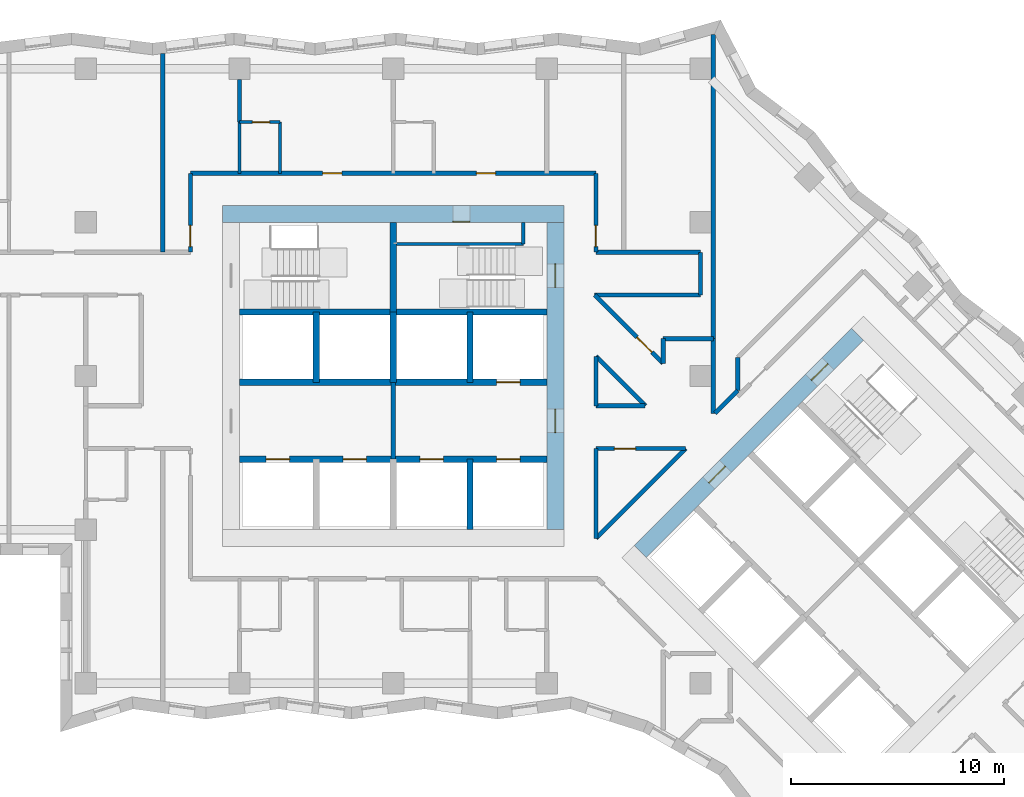
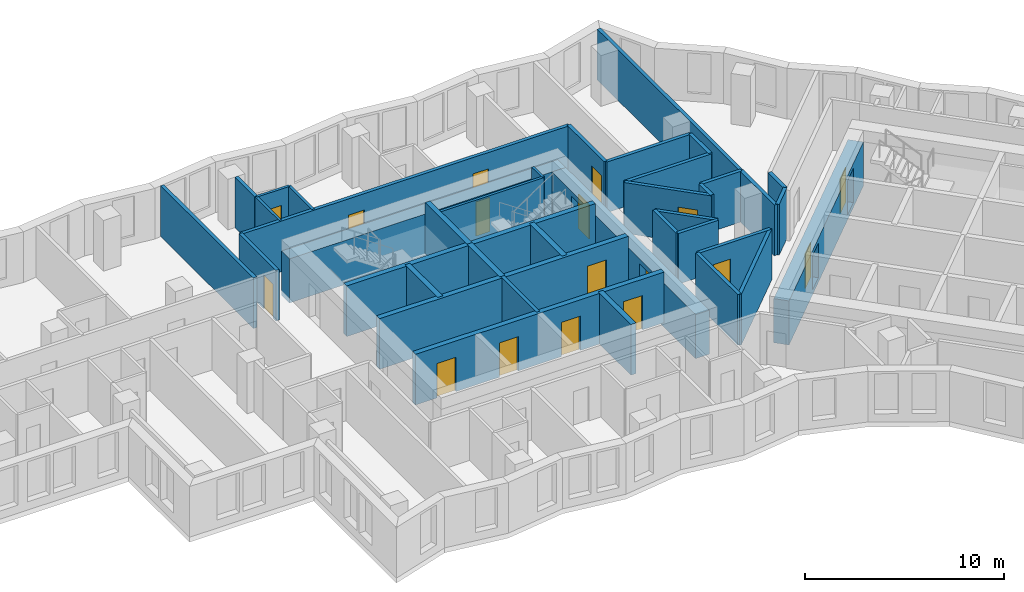
# One storey, part 6 of 13: 39 walls, 17 doors, 17 openings.
"""IFC4 building model written with IfcOpenShell, lengths in metres."""

import ifcopenshell
import ifcopenshell.guid

model = None  # the IFC model being written
_history = None  # IfcOwnerHistory: only IFC2X3 demands one
_inside = {}  # id of a spatial element -> (the spatial element, [elements in it])
_under = {}  # id of a project, library or spatial element -> (it, [spatial elements below it])
_declared = {}  # id of a project -> (the project, [libraries it declares])
_typed = {}  # id of a type object -> (the type object, [elements of that type])
_made_of = {}  # id of a material, layer set ... -> (it, [elements and type objects made of it])


def new_model(schema):
    """Start an empty IFC model of exactly this schema.

    Asked for "IFC4X3", IfcOpenShell would pick the latest addendum, in which some entities
    have other attributes; the version numbers below select the first issue.
    IFC2X3 requires an IfcOwnerHistory on every rooted entity: one is made here for all.
    """
    global model, _history
    if schema == "IFC4X3":
        model = ifcopenshell.file(schema_version=(4, 3, 0, 0))
    else:
        model = ifcopenshell.file(schema=schema)
    _inside.clear()
    _under.clear()
    _declared.clear()
    _typed.clear()
    _made_of.clear()
    _history = None
    if model.schema == "IFC2X3":
        org = make("IfcOrganization", Name="unknown")
        user = make(
            "IfcPersonAndOrganization",
            ThePerson=make("IfcPerson", FamilyName="unknown"),
            TheOrganization=org,
        )
        app = make(
            "IfcApplication",
            ApplicationDeveloper=org,
            Version="unknown",
            ApplicationFullName="unknown",
            ApplicationIdentifier="unknown",
        )
        _history = make(
            "IfcOwnerHistory",
            OwningUser=user,
            OwningApplication=app,
            ChangeAction="ADDED",
            CreationDate=0,
        )
    return model


def make(cls, **values):
    """One entity of the class cls with the attributes given. An attribute that is None is left unset."""
    return model.create_entity(
        cls, **{name: value for name, value in values.items() if value is not None}
    )


def rooted(cls, **values):
    """An entity with a GlobalId (a new one), such as an element, a storey or a relation."""
    return make(cls, GlobalId=ifcopenshell.guid.new(), OwnerHistory=_history, **values)


def si_unit(unit_type, name, prefix=None):
    """IfcSIUnit, for example si_unit("LENGTHUNIT", "METRE", prefix="MILLI")."""
    return make("IfcSIUnit", UnitType=unit_type, Prefix=prefix, Name=name)


def assignment(units):
    """IfcUnitAssignment: the units of a project."""
    return None if units is None else make("IfcUnitAssignment", Units=units)


def point(xyz):
    """IfcCartesianPoint."""
    return None if xyz is None else make("IfcCartesianPoint", Coordinates=xyz)


def direction(xyz):
    """IfcDirection."""
    return None if xyz is None else make("IfcDirection", DirectionRatios=xyz)


def frame(location, z_axis=None, x_axis=None):
    """IfcAxis2Placement3D, a coordinate frame: its origin and axes. An axis left out is left unset."""
    return make(
        "IfcAxis2Placement3D",
        Location=point(location),
        Axis=direction(z_axis),
        RefDirection=direction(x_axis),
    )


def frame_2d(location, x_axis=None):
    """IfcAxis2Placement2D, a coordinate frame in the plane: its origin and x axis."""
    return make(
        "IfcAxis2Placement2D", Location=point(location), RefDirection=direction(x_axis)
    )


def origin():
    """The frame at (0, 0, 0) with its axes left unset."""
    return frame((0.0, 0.0, 0.0))


def place(relative_to, where):
    """IfcLocalPlacement: puts the frame where relative to a parent placement (None: the world)."""
    return make(
        "IfcLocalPlacement", PlacementRelTo=relative_to, RelativePlacement=where
    )


def context(
    kind, dimensions, precision=None, world=None, true_north=None, identifier=None
):
    """IfcGeometricRepresentationContext, for example the 3D "Model" context."""
    return make(
        "IfcGeometricRepresentationContext",
        ContextIdentifier=identifier,
        ContextType=kind,
        CoordinateSpaceDimension=dimensions,
        Precision=precision,
        WorldCoordinateSystem=world,
        TrueNorth=true_north,
    )


def subcontext(parent, identifier, kind, view, scale=None):
    """IfcGeometricRepresentationSubContext, for example "Body" below "Model"."""
    return make(
        "IfcGeometricRepresentationSubContext",
        ContextIdentifier=identifier,
        ContextType=kind,
        ParentContext=parent,
        TargetScale=scale,
        TargetView=view,
    )


def project(units=None, contexts=None):
    """IfcProject with its units and contexts."""
    return rooted(
        "IfcProject",
        Name="project",
        RepresentationContexts=contexts,
        UnitsInContext=assignment(units),
    )


def spatial(cls, under=None, at=None, **own):
    """A site, building, storey or space (cls), placed at a placement, below another one or the project."""
    s = rooted(cls, ObjectPlacement=at, **own)
    if under is not None:
        _under.setdefault(under.id(), (under, []))[1].append(s)
    return s


def profile(cls, at=None, kind="AREA", **sizes):
    """A parametric profile (cls). Its sizes go by their IFC names, for example OverallWidth=200.0."""
    return make(cls, ProfileType=kind, Position=at, **sizes)


def rectangle(**sizes):
    """IfcRectangleProfileDef."""
    return profile("IfcRectangleProfileDef", **sizes)


def extrude(swept, where, along, depth):
    """IfcExtrudedAreaSolid: the profile swept, set in the frame where, extruded along a direction by depth."""
    return make(
        "IfcExtrudedAreaSolid",
        SweptArea=swept,
        Position=where,
        ExtrudedDirection=direction(along),
        Depth=depth,
    )


def shape(context_of_items, identifier, shape_type, items):
    """IfcShapeRepresentation: the items that make up one representation, for example the "Body"."""
    return make(
        "IfcShapeRepresentation",
        ContextOfItems=context_of_items,
        RepresentationIdentifier=identifier,
        RepresentationType=shape_type,
        Items=items,
    )


def material(Name=None, Category=None):
    """IfcMaterial."""
    return make("IfcMaterial", Name=Name, Category=Category)


def layer(
    of_material, thickness, ventilated=None, Name=None, Category=None, Priority=None
):
    """IfcMaterialLayer: one layer of a wall or slab, of a material (None: an air gap)."""
    return make(
        "IfcMaterialLayer",
        Material=of_material,
        LayerThickness=thickness,
        IsVentilated=ventilated,
        Name=Name,
        Category=Category,
        Priority=Priority,
    )


def layer_set(layers, Name=None):
    """IfcMaterialLayerSet."""
    return make("IfcMaterialLayerSet", MaterialLayers=layers, LayerSetName=Name)


def made_of(thing, what):
    """Note that an element or type object is made of a material, layer set ...; save() writes the relation."""
    if what is not None:
        _made_of.setdefault(what.id(), (what, []))[1].append(thing)
    return thing


def type_object(cls, material=None, **own):
    """A type object (cls), such as IfcWallType, which elements share."""
    return made_of(rooted(cls, **own), material)


def element(
    cls,
    number,
    at=None,
    inside=None,
    cuts=None,
    type_object=None,
    material=None,
    context=None,
    identifier="Body",
    shape_type=None,
    held_by="IfcProductDefinitionShape",
    body=None,
    shapes=None,
    **own,
):
    """One element of the class cls, such as IfcWall. Its Tag is "e" and its number.

    at: its placement. inside: the storey or other place that contains it. cuts: it is an
    opening in that element (IfcRelVoidsElement). A single representation is given by context,
    identifier, shape_type and body (its items); several are given by shapes. held_by: the class
    of the entity that holds the representations. save() writes the other relations.
    """
    e = rooted(cls, Tag="e%d" % number, ObjectPlacement=at, **own)
    if body is not None:
        shapes = [shape(context, identifier, shape_type, body)]
    if shapes is not None:
        e.Representation = make(held_by, Representations=shapes)
    if inside is not None:
        _inside.setdefault(inside.id(), (inside, []))[1].append(e)
    if cuts is not None:
        rooted(
            "IfcRelVoidsElement", RelatingBuildingElement=cuts, RelatedOpeningElement=e
        )
    if type_object is not None:
        _typed.setdefault(type_object.id(), (type_object, []))[1].append(e)
    return made_of(e, material)


def fill(opening, filler):
    """IfcRelFillsElement: the door or window that sits in an opening."""
    return rooted(
        "IfcRelFillsElement",
        RelatingOpeningElement=opening,
        RelatedBuildingElement=filler,
    )


def aggregate(whole, parts):
    """IfcRelAggregates: a whole, such as a stair, and the parts it consists of."""
    return rooted("IfcRelAggregates", RelatingObject=whole, RelatedObjects=parts)


def save(model, path):
    """Write the relations noted so far, then the file.

    IfcRelAggregates (storeys below a building ...), IfcRelContainedInSpatialStructure (elements
    in a storey), IfcRelDefinesByType, IfcRelAssociatesMaterial and IfcRelDeclares: one each for
    every whole, place, type object, material and project.
    """
    for whole, parts in _under.values():
        aggregate(whole, parts)
    for where, things in _inside.values():
        rooted(
            "IfcRelContainedInSpatialStructure",
            RelatedElements=things,
            RelatingStructure=where,
        )
    for kind, things in _typed.values():
        rooted("IfcRelDefinesByType", RelatedObjects=things, RelatingType=kind)
    for what, things in _made_of.values():
        rooted("IfcRelAssociatesMaterial", RelatedObjects=things, RelatingMaterial=what)
    for by, libraries in _declared.values():
        rooted("IfcRelDeclares", RelatingContext=by, RelatedDefinitions=libraries)
    model.write(path)


model = new_model("IFC4")

# Units and contexts
model_context = context("Model", 3, precision=1e-05, world=origin(), true_north=direction((0.0, 1.0)))
body_context = subcontext(model_context, "Body", "Model", "MODEL_VIEW")
ifc_project = project(units=[si_unit("LENGTHUNIT", "METRE"), si_unit("AREAUNIT", "SQUARE_METRE"), si_unit("VOLUMEUNIT", "CUBIC_METRE"), si_unit("PLANEANGLEUNIT", "RADIAN"), si_unit("MASSUNIT", "GRAM", prefix="KILO")], contexts=[model_context])

# Site, building, storey
site_placement = place(None, origin())
site = spatial("IfcSite", under=ifc_project, at=site_placement, CompositionType="ELEMENT")
building_placement = place(site_placement, origin())
building = spatial("IfcBuilding", under=site, at=building_placement, Name="Windrow Commons", CompositionType="ELEMENT")
storey_placement = place(building_placement, frame((0.0, 0.0, 101.6)))
storey = spatial("IfcBuildingStorey", under=building, at=storey_placement, Name="L27", CompositionType="ELEMENT", Elevation=101.6)

# Wall
ifc_material_1 = material(Name="Blockwork partition", Category="masonry")
ifc_layer_1 = layer(ifc_material_1, 0.2)
ifc_layer_set_1 = layer_set([ifc_layer_1], Name="Fire lobby partition 200")
wall_type_1 = type_object("IfcWallType", Name="Fire lobby partition 200", PredefinedType="PARTITIONING", material=ifc_layer_set_1)
wall_1_placement = place(storey_placement, frame((64.8, 53.7, 0.0), z_axis=(0.0, 0.0, 1.0), x_axis=(0.0, 1.0, 0.0)))
element("IfcWall", 1, at=wall_1_placement, inside=storey, type_object=wall_type_1, Name="W-core-lobby-A-L27", PredefinedType="PARTITIONING", context=body_context, shape_type="SweptSolid", body=[
    extrude(rectangle(XDim=3.6, YDim=0.2, at=frame_2d((1.8, 0.0))), origin(), (0.0, 0.0, 1.0), 3.1),
])

# Wall, openings, doors
ifc_material_2 = material(Name="Blockwork partition", Category="masonry")
ifc_layer_2 = layer(ifc_material_2, 0.2)
ifc_layer_set_2 = layer_set([ifc_layer_2], Name="IW-CORRIDOR-200")
wall_type_2 = type_object("IfcWallType", Name="IW-CORRIDOR-200", PredefinedType="PARTITIONING", material=ifc_layer_set_2)
wall_2_placement = place(storey_placement, frame((55.3, 67.1, 0.0), z_axis=(0.0, 0.0, 1.0), x_axis=(1.0, 0.0, 0.0)))
wall_2 = element("IfcWall", 2, at=wall_2_placement, inside=storey, type_object=wall_type_2, Name="W-L27-W004", PredefinedType="PARTITIONING", context=body_context, shape_type="SweptSolid", body=[
    extrude(rectangle(XDim=19.0, YDim=0.2, at=frame_2d((9.5, 0.0))), origin(), (0.0, 0.0, 1.0), 3.1),
])
opening_1_placement = place(wall_2_placement, frame((6.1994, 0.0, 0.0)))
opening_1 = element("IfcOpeningElement", 3, at=opening_1_placement, cuts=wall_2, Name="Opening D109F", PredefinedType="OPENING", context=body_context, shape_type="SweptSolid", body=[
    extrude(rectangle(XDim=0.9, YDim=2.1, at=frame_2d((0.45, 1.05))), frame((0.0, 0.11, 0.0), z_axis=(0.0, -1.0, 0.0), x_axis=(1.0, 0.0, 0.0)), (0.0, 0.0, 1.0), 0.22),
])
opening_2_placement = place(wall_2_placement, frame((13.3994, 0.0, 0.0)))
opening_2 = element("IfcOpeningElement", 4, at=opening_2_placement, cuts=wall_2, Name="Opening D109F", PredefinedType="OPENING", context=body_context, shape_type="SweptSolid", body=[
    extrude(rectangle(XDim=0.9, YDim=2.1, at=frame_2d((0.45, 1.05))), frame((0.0, 0.11, 0.0), z_axis=(0.0, -1.0, 0.0), x_axis=(1.0, 0.0, 0.0)), (0.0, 0.0, 1.0), 0.22),
])
ifc_material_3 = material(Name="Timber door leaf", Category="wood")
door_type_1 = type_object("IfcDoorType", Name="DT-BEDROOM-900", OperationType="SINGLE_SWING_LEFT", PredefinedType="DOOR", material=ifc_material_3)
door_1_placement = place(opening_1_placement, origin())
door_1 = element("IfcDoor", 5, at=door_1_placement, inside=storey, type_object=door_type_1, Name="D-L27-D024", OperationType="SINGLE_SWING_RIGHT", OverallHeight=2.1, OverallWidth=0.9, PredefinedType="DOOR", context=body_context, shape_type="SweptSolid", body=[
    extrude(rectangle(XDim=0.9, YDim=2.1, at=frame_2d((0.45, 1.05))), frame((0.0, 0.025, 0.0), z_axis=(0.0, -1.0, 0.0), x_axis=(1.0, 0.0, 0.0)), (0.0, 0.0, 1.0), 0.05),
])
fill(opening_1, door_1)
door_2_placement = place(opening_2_placement, origin())
door_2 = element("IfcDoor", 6, at=door_2_placement, inside=storey, type_object=door_type_1, Name="D-L27-D026", OperationType="SINGLE_SWING_RIGHT", OverallHeight=2.1, OverallWidth=0.9, PredefinedType="DOOR", context=body_context, shape_type="SweptSolid", body=[
    extrude(rectangle(XDim=0.9, YDim=2.1, at=frame_2d((0.45, 1.05))), frame((0.0, 0.025, 0.0), z_axis=(0.0, -1.0, 0.0), x_axis=(1.0, 0.0, 0.0)), (0.0, 0.0, 1.0), 0.05),
])
fill(opening_2, door_2)

# Walls
wall_3_placement = place(storey_placement, frame((74.3012, 49.9908, 0.0), z_axis=(0.0, 0.0, 1.0), x_axis=(0.7071067812, 0.7071067812, 0.0)))
element("IfcWall", 7, at=wall_3_placement, inside=storey, type_object=wall_type_2, Name="W-L27-W028", PredefinedType="PARTITIONING", context=body_context, shape_type="SweptSolid", body=[
    extrude(rectangle(XDim=5.951, YDim=0.2, at=frame_2d((2.9755, 0.0))), origin(), (0.0, 0.0, 1.0), 3.1),
])
wall_4_placement = place(storey_placement, frame((74.246, 61.4, 0.0), z_axis=(0.0, 0.0, 1.0), x_axis=(1.0, 0.0, 0.0)))
element("IfcWall", 8, at=wall_4_placement, inside=storey, type_object=wall_type_2, Name="W-L27-W038", PredefinedType="PARTITIONING", context=body_context, shape_type="SweptSolid", body=[
    extrude(rectangle(XDim=4.954, YDim=0.2, at=frame_2d((2.477, 0.0))), origin(), (0.0, 0.0, 1.0), 3.1),
])
wall_5_placement = place(storey_placement, frame((74.302, 63.4, 0.0), z_axis=(0.0, 0.0, 1.0), x_axis=(1.0, 0.0, 0.0)))
element("IfcWall", 9, at=wall_5_placement, inside=storey, type_object=wall_type_2, Name="W-L27-W040", PredefinedType="PARTITIONING", context=body_context, shape_type="SweptSolid", body=[
    extrude(rectangle(XDim=4.896, YDim=0.2, at=frame_2d((2.448, 0.0))), origin(), (0.0, 0.0, 1.0), 3.1),
])

# Wall, opening, door
wall_6_placement = place(storey_placement, frame((74.2426, 61.3946, 0.0), z_axis=(0.0, 0.0, 1.0), x_axis=(0.7071067812, -0.7071067812, 0.0)))
wall_6 = element("IfcWall", 10, at=wall_6_placement, inside=storey, type_object=wall_type_2, Name="W-L27-W044", PredefinedType="PARTITIONING", context=body_context, shape_type="SweptSolid", body=[
    extrude(rectangle(XDim=4.5283, YDim=0.2, at=frame_2d((2.2641, 0.0))), origin(), (0.0, 0.0, 1.0), 3.1),
])
opening_3_placement = place(wall_6_placement, frame((2.7971, 0.0, 0.0)))
opening_3 = element("IfcOpeningElement", 11, at=opening_3_placement, cuts=wall_6, Name="Opening D310F", PredefinedType="OPENING", context=body_context, shape_type="SweptSolid", body=[
    extrude(rectangle(XDim=1.0, YDim=2.1, at=frame_2d((0.5, 1.05))), frame((0.0, 0.11, 0.0), z_axis=(0.0, -1.0, 0.0), x_axis=(1.0, 0.0, 0.0)), (0.0, 0.0, 1.0), 0.22),
])
ifc_material_4 = material(Name="Timber door leaf", Category="wood")
door_type_2 = type_object("IfcDoorType", Name="DT-AMENITY-1000", OperationType="SINGLE_SWING_LEFT", PredefinedType="DOOR", material=ifc_material_4)
door_3_placement = place(opening_3_placement, origin())
door_3 = element("IfcDoor", 12, at=door_3_placement, inside=storey, type_object=door_type_2, Name="D-L27-D035", OperationType="SINGLE_SWING_LEFT", OverallHeight=2.1, OverallWidth=1.0, PredefinedType="DOOR", context=body_context, shape_type="SweptSolid", body=[
    extrude(rectangle(XDim=1.0, YDim=2.1, at=frame_2d((0.5, 1.05))), frame((0.0, 0.025, 0.0), z_axis=(0.0, -1.0, 0.0), x_axis=(1.0, 0.0, 0.0)), (0.0, 0.0, 1.0), 0.05),
])
fill(opening_3, door_3)

# Wall
wall_7_placement = place(storey_placement, frame((74.3, 49.99, 0.0), z_axis=(0.0, 0.0, 1.0), x_axis=(0.0, 1.0, 0.0)))
element("IfcWall", 13, at=wall_7_placement, inside=storey, type_object=wall_type_2, Name="W-L27-W048", PredefinedType="PARTITIONING", context=body_context, shape_type="SweptSolid", body=[
    extrude(rectangle(XDim=4.21, YDim=0.2, at=frame_2d((2.105, 0.0))), origin(), (0.0, 0.0, 1.0), 3.1),
])

# Wall, opening, door
wall_8_placement = place(storey_placement, frame((74.302, 54.2, 0.0), z_axis=(0.0, 0.0, 1.0), x_axis=(1.0, 0.0, 0.0)))
wall_8 = element("IfcWall", 14, at=wall_8_placement, inside=storey, type_object=wall_type_2, Name="W-L27-W049", PredefinedType="PARTITIONING", context=body_context, shape_type="SweptSolid", body=[
    extrude(rectangle(XDim=4.208, YDim=0.2, at=frame_2d((2.104, 0.0))), origin(), (0.0, 0.0, 1.0), 3.1),
])
opening_4_placement = place(wall_8_placement, frame((0.8604, 0.0, 0.0)))
opening_4 = element("IfcOpeningElement", 15, at=opening_4_placement, cuts=wall_8, Name="Opening D410F", PredefinedType="OPENING", context=body_context, shape_type="SweptSolid", body=[
    extrude(rectangle(XDim=1.0, YDim=2.1, at=frame_2d((0.5, 1.05))), frame((0.0, 0.11, 0.0), z_axis=(0.0, -1.0, 0.0), x_axis=(1.0, 0.0, 0.0)), (0.0, 0.0, 1.0), 0.22),
])
ifc_material_5 = material(Name="Timber door leaf", Category="wood")
door_type_3 = type_object("IfcDoorType", Name="DT-SERVICE-1000", OperationType="SINGLE_SWING_LEFT", PredefinedType="DOOR", material=ifc_material_5)
door_4_placement = place(opening_4_placement, origin())
door_4 = element("IfcDoor", 16, at=door_4_placement, inside=storey, type_object=door_type_3, Name="D-L27-D000", OperationType="SINGLE_SWING_RIGHT", OverallHeight=2.1, OverallWidth=1.0, PredefinedType="DOOR", context=body_context, shape_type="SweptSolid", body=[
    extrude(rectangle(XDim=1.0, YDim=2.1, at=frame_2d((0.5, 1.05))), frame((0.0, 0.025, 0.0), z_axis=(0.0, -1.0, 0.0), x_axis=(1.0, 0.0, 0.0)), (0.0, 0.0, 1.0), 0.05),
])
fill(opening_4, door_4)

wall_9_placement = place(storey_placement, frame((55.3, 63.402, 0.0), z_axis=(0.0, 0.0, 1.0), x_axis=(0.0, 1.0, 0.0)))
wall_9 = element("IfcWall", 17, at=wall_9_placement, inside=storey, type_object=wall_type_2, Name="W-L27-W050", PredefinedType="PARTITIONING", context=body_context, shape_type="SweptSolid", body=[
    extrude(rectangle(XDim=3.698, YDim=0.2, at=frame_2d((1.849, 0.0))), origin(), (0.0, 0.0, 1.0), 3.1),
])
opening_5_placement = place(wall_9_placement, frame((0.258, 0.0, 0.0)))
opening_5 = element("IfcOpeningElement", 18, at=opening_5_placement, cuts=wall_9, Name="Opening D310F", PredefinedType="OPENING", context=body_context, shape_type="SweptSolid", body=[
    extrude(rectangle(XDim=1.0, YDim=2.1, at=frame_2d((0.5, 1.05))), frame((0.0, 0.11, 0.0), z_axis=(0.0, -1.0, 0.0), x_axis=(1.0, 0.0, 0.0)), (0.0, 0.0, 1.0), 0.22),
])
door_5_placement = place(opening_5_placement, origin())
door_5 = element("IfcDoor", 19, at=door_5_placement, inside=storey, type_object=door_type_2, Name="D-L27-D014", OperationType="SINGLE_SWING_LEFT", OverallHeight=2.1, OverallWidth=1.0, PredefinedType="DOOR", context=body_context, shape_type="SweptSolid", body=[
    extrude(rectangle(XDim=1.0, YDim=2.1, at=frame_2d((0.5, 1.05))), frame((0.0, 0.025, 0.0), z_axis=(0.0, -1.0, 0.0), x_axis=(1.0, 0.0, 0.0)), (0.0, 0.0, 1.0), 0.05),
])
fill(opening_5, door_5)

wall_10_placement = place(storey_placement, frame((74.3, 63.402, 0.0), z_axis=(0.0, 0.0, 1.0), x_axis=(0.0, 1.0, 0.0)))
wall_10 = element("IfcWall", 20, at=wall_10_placement, inside=storey, type_object=wall_type_2, Name="W-L27-W051", PredefinedType="PARTITIONING", context=body_context, shape_type="SweptSolid", body=[
    extrude(rectangle(XDim=3.698, YDim=0.2, at=frame_2d((1.849, 0.0))), origin(), (0.0, 0.0, 1.0), 3.1),
])
opening_6_placement = place(wall_10_placement, frame((0.258, 0.0, 0.0)))
opening_6 = element("IfcOpeningElement", 21, at=opening_6_placement, cuts=wall_10, Name="Opening D310F", PredefinedType="OPENING", context=body_context, shape_type="SweptSolid", body=[
    extrude(rectangle(XDim=1.0, YDim=2.1, at=frame_2d((0.5, 1.05))), frame((0.0, 0.11, 0.0), z_axis=(0.0, -1.0, 0.0), x_axis=(1.0, 0.0, 0.0)), (0.0, 0.0, 1.0), 0.22),
])
door_6_placement = place(opening_6_placement, origin())
door_6 = element("IfcDoor", 22, at=door_6_placement, inside=storey, type_object=door_type_2, Name="D-L27-D015", OperationType="SINGLE_SWING_RIGHT", OverallHeight=2.1, OverallWidth=1.0, PredefinedType="DOOR", context=body_context, shape_type="SweptSolid", body=[
    extrude(rectangle(XDim=1.0, YDim=2.1, at=frame_2d((0.5, 1.05))), frame((0.0, 0.025, 0.0), z_axis=(0.0, -1.0, 0.0), x_axis=(1.0, 0.0, 0.0)), (0.0, 0.0, 1.0), 0.05),
])
fill(opening_6, door_6)

# Walls
wall_11_placement = place(storey_placement, frame((79.8, 55.85, 0.0), z_axis=(0.0, 0.0, 1.0), x_axis=(0.0, 1.0, 0.0)))
element("IfcWall", 23, at=wall_11_placement, inside=storey, type_object=wall_type_2, Name="W-L27-W053", PredefinedType="PARTITIONING", context=body_context, shape_type="SweptSolid", body=[
    extrude(rectangle(XDim=3.5, YDim=0.2, at=frame_2d((1.75, 0.0))), origin(), (0.0, 0.0, 1.0), 3.1),
])
wall_12_placement = place(storey_placement, frame((74.3055, 58.5175, 0.0), z_axis=(0.0, 0.0, 1.0), x_axis=(0.7071067812, -0.7071067812, 0.0)))
element("IfcWall", 24, at=wall_12_placement, inside=storey, type_object=wall_type_2, Name="W-L27-W056", PredefinedType="PARTITIONING", context=body_context, shape_type="SweptSolid", body=[
    extrude(rectangle(XDim=3.2697, YDim=0.2, at=frame_2d((1.6348, 0.0))), origin(), (0.0, 0.0, 1.0), 3.1),
])
wall_13_placement = place(storey_placement, frame((77.452, 59.35, 0.0), z_axis=(0.0, 0.0, 1.0), x_axis=(1.0, 0.0, 0.0)))
element("IfcWall", 25, at=wall_13_placement, inside=storey, type_object=wall_type_2, Name="W-L27-W096", PredefinedType="PARTITIONING", context=body_context, shape_type="SweptSolid", body=[
    extrude(rectangle(XDim=2.348, YDim=0.2, at=frame_2d((1.174, 0.0))), origin(), (0.0, 0.0, 1.0), 3.1),
])
for number, where, z_axis, x_axis, name in (
    (26, (74.3, 56.202, 0.0), (0.0, 0.0, 1.0), (0.0, 1.0, 0.0), "W-L27-W097"),
    (27, (74.302, 56.2, 0.0), (0.0, 0.0, 1.0), (1.0, 0.0, 0.0), "W-L27-W098"),
):
    element("IfcWall", number, at=place(storey_placement, frame(where, z_axis=z_axis, x_axis=x_axis)), inside=storey, type_object=wall_type_2, Name=name, PredefinedType="PARTITIONING", context=body_context, shape_type="SweptSolid", body=[
        extrude(rectangle(XDim=2.31, YDim=0.2, at=frame_2d((1.155, 0.0))), origin(), (0.0, 0.0, 1.0), 3.1),
    ])
wall_14_placement = place(storey_placement, frame((79.2, 61.402, 0.0), z_axis=(0.0, 0.0, 1.0), x_axis=(0.0, 1.0, 0.0)))
element("IfcWall", 28, at=wall_14_placement, inside=storey, type_object=wall_type_2, Name="W-L27-W111", PredefinedType="PARTITIONING", context=body_context, shape_type="SweptSolid", body=[
    extrude(rectangle(XDim=1.996, YDim=0.2, at=frame_2d((0.998, 0.0))), origin(), (0.0, 0.0, 1.0), 3.1),
])
wall_15_placement = place(storey_placement, frame((79.8787, 55.8513, 0.0), z_axis=(0.0, 0.0, 1.0), x_axis=(0.7071067812, 0.7071067812, 0.0)))
element("IfcWall", 29, at=wall_15_placement, inside=storey, type_object=wall_type_2, Name="W-L27-W131", PredefinedType="PARTITIONING", context=body_context, shape_type="SweptSolid", body=[
    extrude(rectangle(XDim=1.5132, YDim=0.2, at=frame_2d((0.7566, 0.0))), origin(), (0.0, 0.0, 1.0), 3.1),
])
wall_16_placement = place(storey_placement, frame((77.45, 58.196, 0.0), z_axis=(0.0, 0.0, 1.0), x_axis=(0.0, 1.0, 0.0)))
element("IfcWall", 30, at=wall_16_placement, inside=storey, type_object=wall_type_2, Name="W-L27-W136", PredefinedType="PARTITIONING", context=body_context, shape_type="SweptSolid", body=[
    extrude(rectangle(XDim=1.152, YDim=0.2, at=frame_2d((0.576, 0.0))), origin(), (0.0, 0.0, 1.0), 3.1),
])
ifc_material_6 = material(Name="Blockwork partition", Category="masonry")
ifc_layer_3 = layer(ifc_material_6, 0.15)
ifc_layer_set_3 = layer_set([ifc_layer_3], Name="IW-ENSUITE-150")
wall_type_3 = type_object("IfcWallType", Name="IW-ENSUITE-150", PredefinedType="PARTITIONING", material=ifc_layer_set_3)
for number, where, z_axis, x_axis, name in (
    (31, (59.5, 67.1, 0.0), (0.0, 0.0, 1.0), (0.0, 1.0, 0.0), "W-L27-W072"),
    (32, (57.6, 67.1, 0.0), (0.0, 0.0, 1.0), (0.0, 1.0, 0.0), "W-L27-W073"),
):
    element("IfcWall", number, at=place(storey_placement, frame(where, z_axis=z_axis, x_axis=x_axis)), inside=storey, type_object=wall_type_3, Name=name, PredefinedType="PARTITIONING", context=body_context, shape_type="SweptSolid", body=[
        extrude(rectangle(XDim=2.4, YDim=0.15, at=frame_2d((1.2, 0.0))), origin(), (0.0, 0.0, 1.0), 3.1),
    ])

# Wall, opening, door
wall_17_placement = place(storey_placement, frame((57.6, 69.5, 0.0), z_axis=(0.0, 0.0, 1.0), x_axis=(1.0, 0.0, 0.0)))
wall_17 = element("IfcWall", 33, at=wall_17_placement, inside=storey, type_object=wall_type_3, Name="W-L27-W127", PredefinedType="PARTITIONING", context=body_context, shape_type="SweptSolid", body=[
    extrude(rectangle(XDim=1.9, YDim=0.15, at=frame_2d((0.95, 0.0))), origin(), (0.0, 0.0, 1.0), 3.1),
])
opening_7_placement = place(wall_17_placement, frame((0.6069, 0.0, 0.0)))
opening_7 = element("IfcOpeningElement", 34, at=opening_7_placement, cuts=wall_17, Name="Opening D208N", PredefinedType="OPENING", context=body_context, shape_type="SweptSolid", body=[
    extrude(rectangle(XDim=0.8, YDim=2.1, at=frame_2d((0.4, 1.05))), frame((0.0, 0.085, 0.0), z_axis=(0.0, -1.0, 0.0), x_axis=(1.0, 0.0, 0.0)), (0.0, 0.0, 1.0), 0.17),
])
ifc_material_7 = material(Name="Timber door leaf", Category="wood")
door_type_4 = type_object("IfcDoorType", Name="DT-ENSUITE-800", OperationType="SINGLE_SWING_LEFT", PredefinedType="DOOR", material=ifc_material_7)
door_7_placement = place(opening_7_placement, origin())
door_7 = element("IfcDoor", 35, at=door_7_placement, inside=storey, type_object=door_type_4, Name="D-L27-D025", OperationType="SINGLE_SWING_RIGHT", OverallHeight=2.1, OverallWidth=0.8, PredefinedType="DOOR", context=body_context, shape_type="SweptSolid", body=[
    extrude(rectangle(XDim=0.8, YDim=2.1, at=frame_2d((0.4, 1.05))), frame((0.0, 0.025, 0.0), z_axis=(0.0, -1.0, 0.0), x_axis=(1.0, 0.0, 0.0)), (0.0, 0.0, 1.0), 0.05),
])
fill(opening_7, door_7)

# Walls
ifc_material_8 = material(Name="Blockwork partition", Category="masonry")
ifc_layer_4 = layer(ifc_material_8, 0.2)
ifc_layer_set_4 = layer_set([ifc_layer_4], Name="IW-PARTY-200")
wall_type_4 = type_object("IfcWallType", Name="IW-PARTY-200", PredefinedType="PARTITIONING", material=ifc_layer_set_4)
wall_18_placement = place(storey_placement, frame((79.8, 59.35, 0.0), z_axis=(0.0, 0.0, 1.0), x_axis=(0.0, 1.0, 0.0)))
element("IfcWall", 36, at=wall_18_placement, inside=storey, type_object=wall_type_4, Name="W-L27-W005", PredefinedType="PARTITIONING", context=body_context, shape_type="SweptSolid", body=[
    extrude(rectangle(XDim=14.2619, YDim=0.2, at=frame_2d((7.131, 0.0))), origin(), (0.0, 0.0, 1.0), 3.1),
])
wall_19_placement = place(storey_placement, frame((54.0, 63.4, 0.0), z_axis=(0.0, 0.0, 1.0), x_axis=(0.0, 1.0, 0.0)))
element("IfcWall", 37, at=wall_19_placement, inside=storey, type_object=wall_type_4, Name="W-L27-W015", PredefinedType="PARTITIONING", context=body_context, shape_type="SweptSolid", body=[
    extrude(rectangle(XDim=9.3048, YDim=0.2, at=frame_2d((4.6524, 0.0))), origin(), (0.0, 0.0, 1.0), 3.1),
])
wall_20_placement = place(storey_placement, frame((57.6, 69.5, 0.0), z_axis=(0.0, 0.0, 1.0), x_axis=(0.0, 1.0, 0.0)))
element("IfcWall", 38, at=wall_20_placement, inside=storey, type_object=wall_type_4, Name="W-L27-W107", PredefinedType="PARTITIONING", context=body_context, shape_type="SweptSolid", body=[
    extrude(rectangle(XDim=2.0, YDim=0.2, at=frame_2d((1.0, 0.0))), origin(), (0.0, 0.0, 1.0), 3.1),
])
wall_21_placement = place(storey_placement, frame((80.95, 56.92, 0.0), z_axis=(0.0, 0.0, 1.0), x_axis=(0.0, 1.0, 0.0)))
element("IfcWall", 39, at=wall_21_placement, inside=storey, type_object=wall_type_4, Name="W-L27-W130", PredefinedType="PARTITIONING", context=body_context, shape_type="SweptSolid", body=[
    extrude(rectangle(XDim=1.556, YDim=0.2, at=frame_2d((0.778, 0.0))), origin(), (0.0, 0.0, 1.0), 3.1),
])

# Wall, opening, door
ifc_material_9 = material(Name="Concrete C50/60", Category="concrete")
ifc_layer_5 = layer(ifc_material_9, 0.8)
ifc_layer_set_5 = layer_set([ifc_layer_5], Name="RC CORE WALL 800 C50/60")
wall_type_5 = type_object("IfcWallType", Name="RC CORE WALL 800 C50/60", PredefinedType="SHEAR", material=ifc_layer_set_5)
wall_22_placement = place(storey_placement, frame((56.8, 65.2, -0.3), z_axis=(0.0, 0.0, 1.0), x_axis=(1.0, 0.0, 0.0)))
wall_22 = element("IfcWall", 40, at=wall_22_placement, inside=storey, type_object=wall_type_5, Name="Core A wall outer-N", PredefinedType="SHEAR", context=body_context, shape_type="SweptSolid", body=[
    extrude(rectangle(XDim=16.0, YDim=0.8, at=frame_2d((8.0, 0.0))), origin(), (0.0, 0.0, 1.0), 2.7),
])
opening_8_placement = place(wall_22_placement, frame((10.8, 0.0, 0.3)))
opening_8 = element("IfcOpeningElement", 41, at=opening_8_placement, cuts=wall_22, Name="Opening D9", PredefinedType="OPENING", context=body_context, shape_type="SweptSolid", body=[
    extrude(rectangle(XDim=0.8, YDim=2.1, at=frame_2d((0.4, 1.05))), frame((0.0, 0.41, 0.0), z_axis=(0.0, -1.0, 0.0), x_axis=(1.0, 0.0, 0.0)), (0.0, 0.0, 1.0), 0.82),
])
ifc_material_10 = material(Name="Steel fire door leaf", Category="steel")
door_type_5 = type_object("IfcDoorType", Name="Riser access door 800", OperationType="SINGLE_SWING_LEFT", PredefinedType="DOOR", material=ifc_material_10)
door_8_placement = place(opening_8_placement, origin())
door_8 = element("IfcDoor", 42, at=door_8_placement, inside=storey, type_object=door_type_5, Name="Riser access door", OperationType="SINGLE_SWING_RIGHT", OverallHeight=2.1, OverallWidth=0.8, PredefinedType="DOOR", context=body_context, shape_type="SweptSolid", body=[
    extrude(rectangle(XDim=0.8, YDim=2.1, at=frame_2d((0.4, 1.05))), frame((0.0, -0.34, 0.0), z_axis=(0.0, -1.0, 0.0), x_axis=(1.0, 0.0, 0.0)), (0.0, 0.0, 1.0), 0.05),
])
fill(opening_8, door_8)

# Wall, openings, doors
wall_23_placement = place(storey_placement, frame((72.4, 50.4, -0.3), z_axis=(0.0, 0.0, 1.0), x_axis=(0.0, 1.0, 0.0)))
wall_23 = element("IfcWall", 43, at=wall_23_placement, inside=storey, type_object=wall_type_5, Name="Core A wall outer-E", PredefinedType="SHEAR", context=body_context, shape_type="SweptSolid", body=[
    extrude(rectangle(XDim=14.4, YDim=0.8, at=frame_2d((7.2, 0.0))), origin(), (0.0, 0.0, 1.0), 2.7),
])
opening_9_placement = place(wall_23_placement, frame((4.55, 0.0, 0.3)))
opening_9 = element("IfcOpeningElement", 44, at=opening_9_placement, cuts=wall_23, Name="Opening D6", PredefinedType="OPENING", context=body_context, shape_type="SweptSolid", body=[
    extrude(rectangle(XDim=1.1, YDim=2.1, at=frame_2d((0.55, 1.05))), frame((0.0, 0.41, 0.0), z_axis=(0.0, -1.0, 0.0), x_axis=(1.0, 0.0, 0.0)), (0.0, 0.0, 1.0), 0.82),
])
opening_10_placement = place(wall_23_placement, frame((11.35, 0.0, 0.3)))
opening_10 = element("IfcOpeningElement", 45, at=opening_10_placement, cuts=wall_23, Name="Opening D7", PredefinedType="OPENING", context=body_context, shape_type="SweptSolid", body=[
    extrude(rectangle(XDim=1.1, YDim=2.1, at=frame_2d((0.55, 1.05))), frame((0.0, 0.41, 0.0), z_axis=(0.0, -1.0, 0.0), x_axis=(1.0, 0.0, 0.0)), (0.0, 0.0, 1.0), 0.82),
])
ifc_material_11 = material(Name="Steel fire door leaf", Category="steel")
door_type_6 = type_object("IfcDoorType", Name="Core lobby door 1100", OperationType="SINGLE_SWING_LEFT", PredefinedType="DOOR", material=ifc_material_11)
door_9_placement = place(opening_9_placement, origin())
door_9 = element("IfcDoor", 46, at=door_9_placement, inside=storey, type_object=door_type_6, Name="Lift lobby door", OperationType="DOUBLE_DOOR_SINGLE_SWING", OverallHeight=2.1, OverallWidth=1.1, PredefinedType="DOOR", context=body_context, shape_type="SweptSolid", body=[
    extrude(rectangle(XDim=1.1, YDim=2.1, at=frame_2d((0.55, 1.05))), frame((0.0, 0.025, 0.0), z_axis=(0.0, -1.0, 0.0), x_axis=(1.0, 0.0, 0.0)), (0.0, 0.0, 1.0), 0.05),
])
fill(opening_9, door_9)
ifc_material_12 = material(Name="Steel fire door leaf", Category="steel")
door_type_7 = type_object("IfcDoorType", Name="Stair door 1100", OperationType="SINGLE_SWING_LEFT", PredefinedType="DOOR", material=ifc_material_12)
door_10_placement = place(opening_10_placement, origin())
door_10 = element("IfcDoor", 47, at=door_10_placement, inside=storey, type_object=door_type_7, Name="Stair door", OperationType="SINGLE_SWING_RIGHT", OverallHeight=2.1, OverallWidth=1.1, PredefinedType="DOOR", context=body_context, shape_type="SweptSolid", body=[
    extrude(rectangle(XDim=1.1, YDim=2.1, at=frame_2d((0.55, 1.05))), frame((0.0, 0.025, 0.0), z_axis=(0.0, -1.0, 0.0), x_axis=(1.0, 0.0, 0.0)), (0.0, 0.0, 1.0), 0.05),
])
fill(opening_10, door_10)

wall_24_placement = place(storey_placement, frame((76.3716, 49.3726, -0.3), z_axis=(0.0, 0.0, 1.0), x_axis=(0.7071067812, 0.7071067812, 0.0)))
wall_24 = element("IfcWall", 48, at=wall_24_placement, inside=storey, type_object=wall_type_5, Name="Core B wall outer-W", PredefinedType="SHEAR", context=body_context, shape_type="SweptSolid", body=[
    extrude(rectangle(XDim=14.3999, YDim=0.8, at=frame_2d((7.2, 0.0))), origin(), (0.0, 0.0, 1.0), 2.7),
])
opening_11_placement = place(wall_24_placement, frame((4.55, 0.0, 0.3)))
opening_11 = element("IfcOpeningElement", 49, at=opening_11_placement, cuts=wall_24, Name="Opening D6", PredefinedType="OPENING", context=body_context, shape_type="SweptSolid", body=[
    extrude(rectangle(XDim=1.1, YDim=2.1, at=frame_2d((0.55, 1.05))), frame((0.0, 0.41, 0.0), z_axis=(0.0, -1.0, 0.0), x_axis=(1.0, 0.0, 0.0)), (0.0, 0.0, 1.0), 0.82),
])
opening_12_placement = place(wall_24_placement, frame((11.35, 0.0, 0.3)))
opening_12 = element("IfcOpeningElement", 50, at=opening_12_placement, cuts=wall_24, Name="Opening D7", PredefinedType="OPENING", context=body_context, shape_type="SweptSolid", body=[
    extrude(rectangle(XDim=1.1, YDim=2.1, at=frame_2d((0.55, 1.05))), frame((0.0, 0.41, 0.0), z_axis=(0.0, -1.0, 0.0), x_axis=(1.0, 0.0, 0.0)), (0.0, 0.0, 1.0), 0.82),
])
door_11_placement = place(opening_11_placement, origin())
door_11 = element("IfcDoor", 51, at=door_11_placement, inside=storey, type_object=door_type_6, Name="Lift lobby door", OperationType="DOUBLE_DOOR_SINGLE_SWING", OverallHeight=2.1, OverallWidth=1.1, PredefinedType="DOOR", context=body_context, shape_type="SweptSolid", body=[
    extrude(rectangle(XDim=1.1, YDim=2.1, at=frame_2d((0.55, 1.05))), frame((0.0, 0.025, 0.0), z_axis=(0.0, -1.0, 0.0), x_axis=(1.0, 0.0, 0.0)), (0.0, 0.0, 1.0), 0.05),
])
fill(opening_11, door_11)
door_12_placement = place(opening_12_placement, origin())
door_12 = element("IfcDoor", 52, at=door_12_placement, inside=storey, type_object=door_type_7, Name="Stair door", OperationType="SINGLE_SWING_LEFT", OverallHeight=2.1, OverallWidth=1.1, PredefinedType="DOOR", context=body_context, shape_type="SweptSolid", body=[
    extrude(rectangle(XDim=1.1, YDim=2.1, at=frame_2d((0.55, 1.05))), frame((0.0, 0.025, 0.0), z_axis=(0.0, -1.0, 0.0), x_axis=(1.0, 0.0, 0.0)), (0.0, 0.0, 1.0), 0.05),
])
fill(opening_12, door_12)

# Walls
ifc_material_13 = material(Name="Concrete C50/60", Category="concrete")
ifc_layer_6 = layer(ifc_material_13, 0.3)
ifc_layer_set_6 = layer_set([ifc_layer_6], Name="RC SHAFT WALL 300 C50/60")
wall_type_6 = type_object("IfcWallType", Name="RC SHAFT WALL 300 C50/60", PredefinedType="SOLIDWALL", material=ifc_layer_set_6)
for number, where, z_axis, x_axis, name in (
    (53, (61.2, 57.3, 0.0), (0.0, 0.0, 1.0), (0.0, 1.0, 0.0), "Core A wall shaft-N1"),
    (54, (64.8, 57.3, 0.0), (0.0, 0.0, 1.0), (0.0, 1.0, 0.0), "Core A wall shaft-N2"),
    (55, (68.4, 50.4, 0.0), (0.0, 0.0, 1.0), (0.0, 1.0, 0.0), "Core A wall shaft-S3"),
    (56, (68.4, 57.3, 0.0), (0.0, 0.0, 1.0), (0.0, 1.0, 0.0), "Core A wall shaft-N3"),
):
    element("IfcWall", number, at=place(storey_placement, frame(where, z_axis=z_axis, x_axis=x_axis)), inside=storey, type_object=wall_type_6, Name=name, PredefinedType="SOLIDWALL", context=body_context, shape_type="SweptSolid", body=[
        extrude(rectangle(XDim=3.3, YDim=0.3, at=frame_2d((1.65, 0.0))), origin(), (0.0, 0.0, 1.0), 3.1),
    ])

# Wall, openings, doors
wall_25_placement = place(storey_placement, frame((57.6, 53.7, 0.0), z_axis=(0.0, 0.0, 1.0), x_axis=(1.0, 0.0, 0.0)))
wall_25 = element("IfcWall", 57, at=wall_25_placement, inside=storey, type_object=wall_type_6, Name="Core A wall lobby-S", PredefinedType="SOLIDWALL", context=body_context, shape_type="SweptSolid", body=[
    extrude(rectangle(XDim=14.4, YDim=0.3, at=frame_2d((7.2, 0.0))), origin(), (0.0, 0.0, 1.0), 3.1),
])
opening_13_placement = place(wall_25_placement, frame((1.25, 0.0, 0.0)))
opening_13 = element("IfcOpeningElement", 58, at=opening_13_placement, cuts=wall_25, Name="Opening LD", PredefinedType="OPENING", context=body_context, shape_type="SweptSolid", body=[
    extrude(rectangle(XDim=1.1, YDim=2.1, at=frame_2d((0.55, 1.05))), frame((0.0, 0.16, 0.0), z_axis=(0.0, -1.0, 0.0), x_axis=(1.0, 0.0, 0.0)), (0.0, 0.0, 1.0), 0.32),
])
opening_14_placement = place(wall_25_placement, frame((4.85, 0.0, 0.0)))
opening_14 = element("IfcOpeningElement", 59, at=opening_14_placement, cuts=wall_25, Name="Opening LD", PredefinedType="OPENING", context=body_context, shape_type="SweptSolid", body=[
    extrude(rectangle(XDim=1.1, YDim=2.1, at=frame_2d((0.55, 1.05))), frame((0.0, 0.16, 0.0), z_axis=(0.0, -1.0, 0.0), x_axis=(1.0, 0.0, 0.0)), (0.0, 0.0, 1.0), 0.32),
])
opening_15_placement = place(wall_25_placement, frame((8.45, 0.0, 0.0)))
opening_15 = element("IfcOpeningElement", 60, at=opening_15_placement, cuts=wall_25, Name="Opening LD", PredefinedType="OPENING", context=body_context, shape_type="SweptSolid", body=[
    extrude(rectangle(XDim=1.1, YDim=2.1, at=frame_2d((0.55, 1.05))), frame((0.0, 0.16, 0.0), z_axis=(0.0, -1.0, 0.0), x_axis=(1.0, 0.0, 0.0)), (0.0, 0.0, 1.0), 0.32),
])
opening_16_placement = place(wall_25_placement, frame((12.05, 0.0, 0.0)))
opening_16 = element("IfcOpeningElement", 61, at=opening_16_placement, cuts=wall_25, Name="Opening LD", PredefinedType="OPENING", context=body_context, shape_type="SweptSolid", body=[
    extrude(rectangle(XDim=1.1, YDim=2.1, at=frame_2d((0.55, 1.05))), frame((0.0, 0.16, 0.0), z_axis=(0.0, -1.0, 0.0), x_axis=(1.0, 0.0, 0.0)), (0.0, 0.0, 1.0), 0.32),
])
ifc_material_14 = material(Name="Stainless steel door leaf", Category="steel")
door_type_8 = type_object("IfcDoorType", Name="Lift landing door 1100", OperationType="SLIDING_TO_LEFT", PredefinedType="DOOR", material=ifc_material_14)
door_13_placement = place(opening_13_placement, origin())
door_13 = element("IfcDoor", 62, at=door_13_placement, inside=storey, type_object=door_type_8, Name="Lift landing door", OperationType="SLIDING_TO_LEFT", OverallHeight=2.1, OverallWidth=1.1, PredefinedType="DOOR", context=body_context, shape_type="SweptSolid", body=[
    extrude(rectangle(XDim=1.1, YDim=2.1, at=frame_2d((0.55, 1.05))), frame((0.0, 0.025, 0.0), z_axis=(0.0, -1.0, 0.0), x_axis=(1.0, 0.0, 0.0)), (0.0, 0.0, 1.0), 0.05),
])
fill(opening_13, door_13)
door_14_placement = place(opening_14_placement, origin())
door_14 = element("IfcDoor", 63, at=door_14_placement, inside=storey, type_object=door_type_8, Name="Lift landing door", OperationType="SLIDING_TO_RIGHT", OverallHeight=2.1, OverallWidth=1.1, PredefinedType="DOOR", context=body_context, shape_type="SweptSolid", body=[
    extrude(rectangle(XDim=1.1, YDim=2.1, at=frame_2d((0.55, 1.05))), frame((0.0, 0.025, 0.0), z_axis=(0.0, -1.0, 0.0), x_axis=(1.0, 0.0, 0.0)), (0.0, 0.0, 1.0), 0.05),
])
fill(opening_14, door_14)
door_15_placement = place(opening_15_placement, origin())
door_15 = element("IfcDoor", 64, at=door_15_placement, inside=storey, type_object=door_type_8, Name="Lift landing door", OperationType="SLIDING_TO_LEFT", OverallHeight=2.1, OverallWidth=1.1, PredefinedType="DOOR", context=body_context, shape_type="SweptSolid", body=[
    extrude(rectangle(XDim=1.1, YDim=2.1, at=frame_2d((0.55, 1.05))), frame((0.0, 0.025, 0.0), z_axis=(0.0, -1.0, 0.0), x_axis=(1.0, 0.0, 0.0)), (0.0, 0.0, 1.0), 0.05),
])
fill(opening_15, door_15)
door_16_placement = place(opening_16_placement, origin())
door_16 = element("IfcDoor", 65, at=door_16_placement, inside=storey, type_object=door_type_8, Name="Lift landing door", OperationType="SLIDING_TO_RIGHT", OverallHeight=2.1, OverallWidth=1.1, PredefinedType="DOOR", context=body_context, shape_type="SweptSolid", body=[
    extrude(rectangle(XDim=1.1, YDim=2.1, at=frame_2d((0.55, 1.05))), frame((0.0, 0.025, 0.0), z_axis=(0.0, -1.0, 0.0), x_axis=(1.0, 0.0, 0.0)), (0.0, 0.0, 1.0), 0.05),
])
fill(opening_16, door_16)

# Wall, opening, door
wall_26_placement = place(storey_placement, frame((57.6, 57.3, 0.0), z_axis=(0.0, 0.0, 1.0), x_axis=(1.0, 0.0, 0.0)))
wall_26 = element("IfcWall", 66, at=wall_26_placement, inside=storey, type_object=wall_type_6, Name="Core A wall lobby-N", PredefinedType="SOLIDWALL", context=body_context, shape_type="SweptSolid", body=[
    extrude(rectangle(XDim=14.4, YDim=0.3, at=frame_2d((7.2, 0.0))), origin(), (0.0, 0.0, 1.0), 3.1),
])
opening_17_placement = place(wall_26_placement, frame((12.05, 0.0, 0.0)))
opening_17 = element("IfcOpeningElement", 67, at=opening_17_placement, cuts=wall_26, Name="Opening LD", PredefinedType="OPENING", context=body_context, shape_type="SweptSolid", body=[
    extrude(rectangle(XDim=1.1, YDim=2.1, at=frame_2d((0.55, 1.05))), frame((0.0, 0.16, 0.0), z_axis=(0.0, -1.0, 0.0), x_axis=(1.0, 0.0, 0.0)), (0.0, 0.0, 1.0), 0.32),
])
door_17_placement = place(opening_17_placement, origin())
door_17 = element("IfcDoor", 68, at=door_17_placement, inside=storey, type_object=door_type_8, Name="Lift landing door", OperationType="SLIDING_TO_RIGHT", OverallHeight=2.1, OverallWidth=1.1, PredefinedType="DOOR", context=body_context, shape_type="SweptSolid", body=[
    extrude(rectangle(XDim=1.1, YDim=2.1, at=frame_2d((0.55, 1.05))), frame((0.0, 0.025, 0.0), z_axis=(0.0, -1.0, 0.0), x_axis=(1.0, 0.0, 0.0)), (0.0, 0.0, 1.0), 0.05),
])
fill(opening_17, door_17)

# Walls
for number, where, z_axis, x_axis, name in (
    (69, (57.6, 60.6, 0.0), (0.0, 0.0, 1.0), (1.0, 0.0, 0.0), "Core A wall stair-S"),
    (70, (64.8, 60.6, 0.0), (0.0, 0.0, 1.0), (1.0, 0.0, 0.0), "Core A wall stair-S2"),
):
    element("IfcWall", number, at=place(storey_placement, frame(where, z_axis=z_axis, x_axis=x_axis)), inside=storey, type_object=wall_type_6, Name=name, PredefinedType="SOLIDWALL", context=body_context, shape_type="SweptSolid", body=[
        extrude(rectangle(XDim=7.2, YDim=0.3, at=frame_2d((3.6, 0.0))), origin(), (0.0, 0.0, 1.0), 3.1),
    ])
wall_27_placement = place(storey_placement, frame((64.8, 60.6, 0.0), z_axis=(0.0, 0.0, 1.0), x_axis=(0.0, 1.0, 0.0)))
element("IfcWall", 71, at=wall_27_placement, inside=storey, type_object=wall_type_6, Name="Core A wall stair-mid", PredefinedType="SOLIDWALL", context=body_context, shape_type="SweptSolid", body=[
    extrude(rectangle(XDim=4.2, YDim=0.3, at=frame_2d((2.1, 0.0))), origin(), (0.0, 0.0, 1.0), 3.1),
])
ifc_material_15 = material(Name="Blockwork partition", Category="masonry")
ifc_layer_7 = layer(ifc_material_15, 0.15)
ifc_layer_set_7 = layer_set([ifc_layer_7], Name="Riser partition 150")
wall_type_7 = type_object("IfcWallType", Name="Riser partition 150", PredefinedType="PARTITIONING", material=ifc_layer_set_7)
wall_28_placement = place(storey_placement, frame((64.95, 63.78, 0.0), z_axis=(0.0, 0.0, 1.0), x_axis=(1.0, 0.0, 0.0)))
element("IfcWall", 72, at=wall_28_placement, inside=storey, type_object=wall_type_7, Name="W-core-strip-A-L27", PredefinedType="PARTITIONING", context=body_context, shape_type="SweptSolid", body=[
    extrude(rectangle(XDim=5.95, YDim=0.15, at=frame_2d((2.975, 0.0))), origin(), (0.0, 0.0, 1.0), 3.1),
])
wall_29_placement = place(storey_placement, frame((70.9, 63.78, 0.0), z_axis=(0.0, 0.0, 1.0), x_axis=(0.0, 1.0, 0.0)))
element("IfcWall", 73, at=wall_29_placement, inside=storey, type_object=wall_type_7, Name="W-core-stripx-A-L27-1", PredefinedType="PARTITIONING", context=body_context, shape_type="SweptSolid", body=[
    extrude(rectangle(XDim=1.02, YDim=0.15, at=frame_2d((0.51, 0.0))), origin(), (0.0, 0.0, 1.0), 3.1),
])

save(model, "model.ifc")
